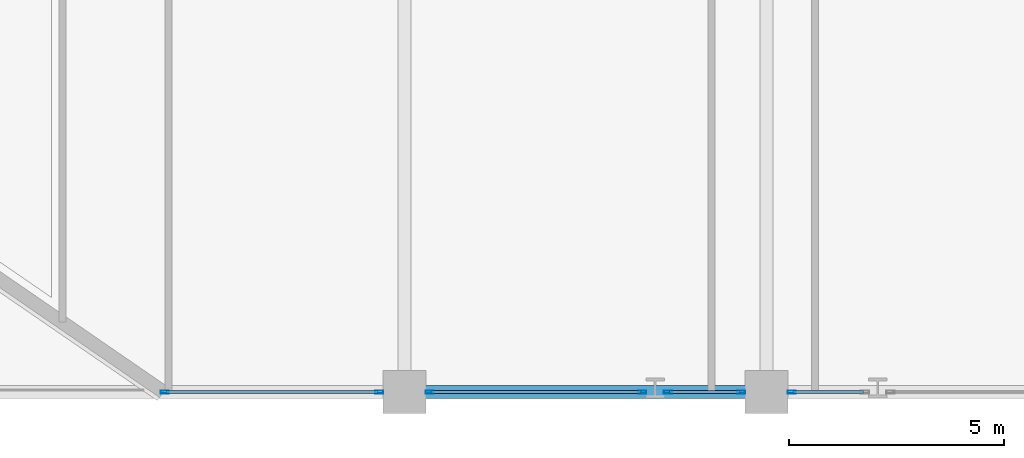
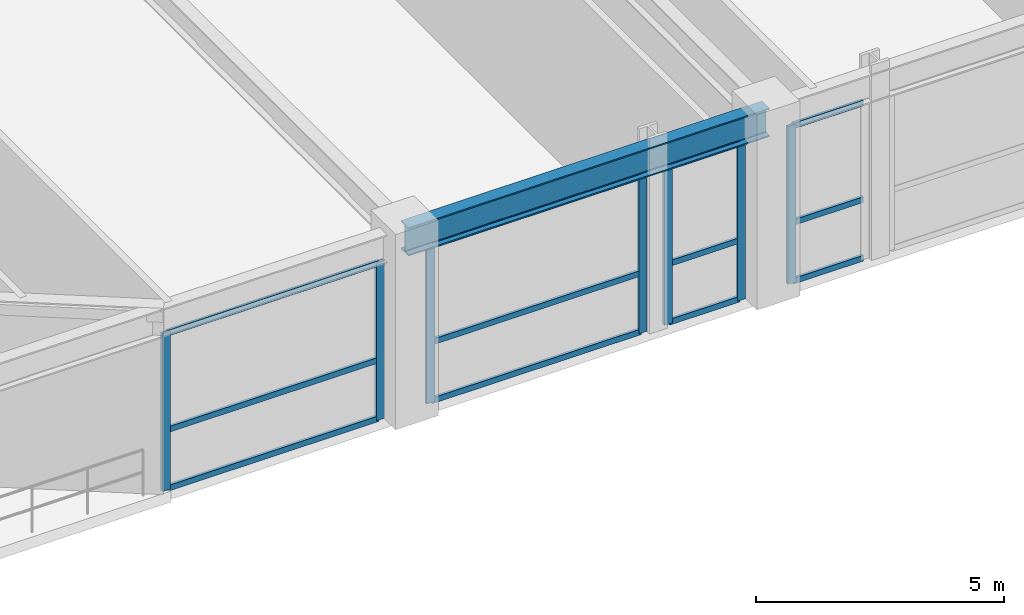
# One storey, part 3 of 26: 19 members, 1 beam, 4 elements without a shape of their own.
"""IFC4 building model written with IfcOpenShell, lengths in metres."""

import ifcopenshell
import ifcopenshell.guid

model = None  # the IFC model being written
_history = None  # IfcOwnerHistory: only IFC2X3 demands one
_inside = {}  # id of a spatial element -> (the spatial element, [elements in it])
_under = {}  # id of a project, library or spatial element -> (it, [spatial elements below it])
_declared = {}  # id of a project -> (the project, [libraries it declares])
_typed = {}  # id of a type object -> (the type object, [elements of that type])
_made_of = {}  # id of a material, layer set ... -> (it, [elements and type objects made of it])


def new_model(schema):
    """Start an empty IFC model of exactly this schema.

    Asked for "IFC4X3", IfcOpenShell would pick the latest addendum, in which some entities
    have other attributes; the version numbers below select the first issue.
    IFC2X3 requires an IfcOwnerHistory on every rooted entity: one is made here for all.
    """
    global model, _history
    if schema == "IFC4X3":
        model = ifcopenshell.file(schema_version=(4, 3, 0, 0))
    else:
        model = ifcopenshell.file(schema=schema)
    _inside.clear()
    _under.clear()
    _declared.clear()
    _typed.clear()
    _made_of.clear()
    _history = None
    if model.schema == "IFC2X3":
        org = make("IfcOrganization", Name="unknown")
        user = make(
            "IfcPersonAndOrganization",
            ThePerson=make("IfcPerson", FamilyName="unknown"),
            TheOrganization=org,
        )
        app = make(
            "IfcApplication",
            ApplicationDeveloper=org,
            Version="unknown",
            ApplicationFullName="unknown",
            ApplicationIdentifier="unknown",
        )
        _history = make(
            "IfcOwnerHistory",
            OwningUser=user,
            OwningApplication=app,
            ChangeAction="ADDED",
            CreationDate=0,
        )
    return model


def make(cls, **values):
    """One entity of the class cls with the attributes given. An attribute that is None is left unset."""
    return model.create_entity(
        cls, **{name: value for name, value in values.items() if value is not None}
    )


def rooted(cls, **values):
    """An entity with a GlobalId (a new one), such as an element, a storey or a relation."""
    return make(cls, GlobalId=ifcopenshell.guid.new(), OwnerHistory=_history, **values)


def si_unit(unit_type, name, prefix=None):
    """IfcSIUnit, for example si_unit("LENGTHUNIT", "METRE", prefix="MILLI")."""
    return make("IfcSIUnit", UnitType=unit_type, Prefix=prefix, Name=name)


def derived_unit(unit_type, elements):
    """IfcDerivedUnit: a product of units, each with its exponent."""
    return make(
        "IfcDerivedUnit",
        Elements=[
            make("IfcDerivedUnitElement", Unit=unit, Exponent=power)
            for unit, power in elements
        ],
        UnitType=unit_type,
    )


def assignment(units):
    """IfcUnitAssignment: the units of a project."""
    return None if units is None else make("IfcUnitAssignment", Units=units)


def point(xyz):
    """IfcCartesianPoint."""
    return None if xyz is None else make("IfcCartesianPoint", Coordinates=xyz)


def direction(xyz):
    """IfcDirection."""
    return None if xyz is None else make("IfcDirection", DirectionRatios=xyz)


def frame(location, z_axis=None, x_axis=None):
    """IfcAxis2Placement3D, a coordinate frame: its origin and axes. An axis left out is left unset."""
    return make(
        "IfcAxis2Placement3D",
        Location=point(location),
        Axis=direction(z_axis),
        RefDirection=direction(x_axis),
    )


def frame_2d(location, x_axis=None):
    """IfcAxis2Placement2D, a coordinate frame in the plane: its origin and x axis."""
    return make(
        "IfcAxis2Placement2D", Location=point(location), RefDirection=direction(x_axis)
    )


def origin():
    """The frame at (0, 0, 0) with its axes left unset."""
    return frame((0.0, 0.0, 0.0))


def origin_2d():
    """The frame at (0, 0) in the plane with its x axis left unset."""
    return frame_2d((0.0, 0.0))


def place(relative_to, where):
    """IfcLocalPlacement: puts the frame where relative to a parent placement (None: the world)."""
    return make(
        "IfcLocalPlacement", PlacementRelTo=relative_to, RelativePlacement=where
    )


def context(
    kind, dimensions, precision=None, world=None, true_north=None, identifier=None
):
    """IfcGeometricRepresentationContext, for example the 3D "Model" context."""
    return make(
        "IfcGeometricRepresentationContext",
        ContextIdentifier=identifier,
        ContextType=kind,
        CoordinateSpaceDimension=dimensions,
        Precision=precision,
        WorldCoordinateSystem=world,
        TrueNorth=true_north,
    )


def subcontext(parent, identifier, kind, view, scale=None):
    """IfcGeometricRepresentationSubContext, for example "Body" below "Model"."""
    return make(
        "IfcGeometricRepresentationSubContext",
        ContextIdentifier=identifier,
        ContextType=kind,
        ParentContext=parent,
        TargetScale=scale,
        TargetView=view,
    )


def project(units=None, contexts=None):
    """IfcProject with its units and contexts."""
    return rooted(
        "IfcProject",
        Name="project",
        RepresentationContexts=contexts,
        UnitsInContext=assignment(units),
    )


def spatial(cls, under=None, at=None, **own):
    """A site, building, storey or space (cls), placed at a placement, below another one or the project."""
    s = rooted(cls, ObjectPlacement=at, **own)
    if under is not None:
        _under.setdefault(under.id(), (under, []))[1].append(s)
    return s


def profile(cls, at=None, kind="AREA", **sizes):
    """A parametric profile (cls). Its sizes go by their IFC names, for example OverallWidth=200.0."""
    return make(cls, ProfileType=kind, Position=at, **sizes)


def hollow_rectangle(**sizes):
    """IfcRectangleHollowProfileDef."""
    return profile("IfcRectangleHollowProfileDef", **sizes)


def i_section(**sizes):
    """IfcIShapeProfileDef."""
    return profile("IfcIShapeProfileDef", **sizes)


def extrude(swept, where, along, depth):
    """IfcExtrudedAreaSolid: the profile swept, set in the frame where, extruded along a direction by depth."""
    return make(
        "IfcExtrudedAreaSolid",
        SweptArea=swept,
        Position=where,
        ExtrudedDirection=direction(along),
        Depth=depth,
    )


def shape(context_of_items, identifier, shape_type, items):
    """IfcShapeRepresentation: the items that make up one representation, for example the "Body"."""
    return make(
        "IfcShapeRepresentation",
        ContextOfItems=context_of_items,
        RepresentationIdentifier=identifier,
        RepresentationType=shape_type,
        Items=items,
    )


def source(mapping_origin, context_of_items, identifier, shape_type, items):
    """IfcRepresentationMap: a shape defined once, which mapped items show again and again."""
    return make(
        "IfcRepresentationMap",
        MappingOrigin=mapping_origin,
        MappedRepresentation=shape(context_of_items, identifier, shape_type, items),
    )


def transform(
    local_origin,
    x_axis=None,
    y_axis=None,
    z_axis=None,
    scale=None,
    scale2=None,
    scale3=None,
    uniform=True,
):
    """IfcCartesianTransformationOperator3D, or its non-uniform kind. x_axis, y_axis, z_axis: its Axis1, 2, 3."""
    if uniform:
        return make(
            "IfcCartesianTransformationOperator3D",
            Axis1=direction(x_axis),
            Axis2=direction(y_axis),
            LocalOrigin=point(local_origin),
            Scale=scale,
            Axis3=direction(z_axis),
        )
    return make(
        "IfcCartesianTransformationOperator3DnonUniform",
        Axis1=direction(x_axis),
        Axis2=direction(y_axis),
        LocalOrigin=point(local_origin),
        Scale=scale,
        Axis3=direction(z_axis),
        Scale2=scale2,
        Scale3=scale3,
    )


def mapped(mapping_source, mapping_target):
    """IfcMappedItem: shows the shape of a source again, moved by a transform."""
    return make(
        "IfcMappedItem", MappingSource=mapping_source, MappingTarget=mapping_target
    )


def material(Name=None, Category=None):
    """IfcMaterial."""
    return make("IfcMaterial", Name=Name, Category=Category)


def layer(
    of_material, thickness, ventilated=None, Name=None, Category=None, Priority=None
):
    """IfcMaterialLayer: one layer of a wall or slab, of a material (None: an air gap)."""
    return make(
        "IfcMaterialLayer",
        Material=of_material,
        LayerThickness=thickness,
        IsVentilated=ventilated,
        Name=Name,
        Category=Category,
        Priority=Priority,
    )


def layer_set(layers, Name=None):
    """IfcMaterialLayerSet."""
    return make("IfcMaterialLayerSet", MaterialLayers=layers, LayerSetName=Name)


def material_profile(
    of_material, cross_section, Name=None, Category=None, Priority=None
):
    """IfcMaterialProfile: a cross section and its material."""
    return make(
        "IfcMaterialProfile",
        Name=Name,
        Material=of_material,
        Profile=cross_section,
        Priority=Priority,
        Category=Category,
    )


def profile_set(profiles, Name=None, composite=None):
    """IfcMaterialProfileSet."""
    return make(
        "IfcMaterialProfileSet",
        Name=Name,
        MaterialProfiles=profiles,
        CompositeProfile=composite,
    )


def made_of(thing, what):
    """Note that an element or type object is made of a material, layer set ...; save() writes the relation."""
    if what is not None:
        _made_of.setdefault(what.id(), (what, []))[1].append(thing)
    return thing


def type_object(cls, material=None, **own):
    """A type object (cls), such as IfcWallType, which elements share."""
    return made_of(rooted(cls, **own), material)


def element(
    cls,
    number,
    at=None,
    inside=None,
    cuts=None,
    type_object=None,
    material=None,
    context=None,
    identifier="Body",
    shape_type=None,
    held_by="IfcProductDefinitionShape",
    body=None,
    shapes=None,
    **own,
):
    """One element of the class cls, such as IfcWall. Its Tag is "e" and its number.

    at: its placement. inside: the storey or other place that contains it. cuts: it is an
    opening in that element (IfcRelVoidsElement). A single representation is given by context,
    identifier, shape_type and body (its items); several are given by shapes. held_by: the class
    of the entity that holds the representations. save() writes the other relations.
    """
    e = rooted(cls, Tag="e%d" % number, ObjectPlacement=at, **own)
    if body is not None:
        shapes = [shape(context, identifier, shape_type, body)]
    if shapes is not None:
        e.Representation = make(held_by, Representations=shapes)
    if inside is not None:
        _inside.setdefault(inside.id(), (inside, []))[1].append(e)
    if cuts is not None:
        rooted(
            "IfcRelVoidsElement", RelatingBuildingElement=cuts, RelatedOpeningElement=e
        )
    if type_object is not None:
        _typed.setdefault(type_object.id(), (type_object, []))[1].append(e)
    return made_of(e, material)


def aggregate(whole, parts):
    """IfcRelAggregates: a whole, such as a stair, and the parts it consists of."""
    return rooted("IfcRelAggregates", RelatingObject=whole, RelatedObjects=parts)


def save(model, path):
    """Write the relations noted so far, then the file.

    IfcRelAggregates (storeys below a building ...), IfcRelContainedInSpatialStructure (elements
    in a storey), IfcRelDefinesByType, IfcRelAssociatesMaterial and IfcRelDeclares: one each for
    every whole, place, type object, material and project.
    """
    for whole, parts in _under.values():
        aggregate(whole, parts)
    for where, things in _inside.values():
        rooted(
            "IfcRelContainedInSpatialStructure",
            RelatedElements=things,
            RelatingStructure=where,
        )
    for kind, things in _typed.values():
        rooted("IfcRelDefinesByType", RelatedObjects=things, RelatingType=kind)
    for what, things in _made_of.values():
        rooted("IfcRelAssociatesMaterial", RelatedObjects=things, RelatingMaterial=what)
    for by, libraries in _declared.values():
        rooted("IfcRelDeclares", RelatingContext=by, RelatedDefinitions=libraries)
    model.write(path)


model = new_model("IFC4")

# Units and contexts
model_context = context("Model", 3, precision=1e-05, world=origin(), true_north=direction((0.0, 1.0)))
body_context = subcontext(model_context, "Body", "Model", "MODEL_VIEW")
ifc_project = project(units=[si_unit("LENGTHUNIT", "METRE"), si_unit("AREAUNIT", "SQUARE_METRE"), si_unit("VOLUMEUNIT", "CUBIC_METRE"), si_unit("PLANEANGLEUNIT", "RADIAN"), si_unit("MASSUNIT", "GRAM", prefix="KILO"), derived_unit("THERMALTRANSMITTANCEUNIT", [(si_unit("POWERUNIT", "WATT"), 1), (si_unit("LENGTHUNIT", "METRE"), -2), (si_unit("THERMODYNAMICTEMPERATUREUNIT", "KELVIN"), -1)])], contexts=[model_context])

# Site, building, storey
site_placement = place(None, origin())
site = spatial("IfcSite", under=ifc_project, at=site_placement, CompositionType="ELEMENT")
building_placement = place(site_placement, origin())
building = spatial("IfcBuilding", under=site, at=building_placement, Name="Korsvarv Bourse and Concert Hall", CompositionType="ELEMENT")
storey_placement = place(building_placement, frame((0.0, 0.0, 19.199951171875)))
storey = spatial("IfcBuildingStorey", under=building, at=storey_placement, Name="L04", CompositionType="ELEMENT", Elevation=19.199951171875)

# Beam
ifc_material_1 = material(Name="Steel S355", Category="steel")
ifc_material_profile_1 = material_profile(ifc_material_1, i_section(OverallWidth=0.300048828125, OverallDepth=0.699951171875, WebThickness=0.01708984375, FlangeThickness=0.031982421875, FilletRadius=0.027099609375, at=origin_2d()), Name="HEB 700")
ifc_profile_set_1 = profile_set([ifc_material_profile_1], Name="Steel S355")
beam_type = type_object("IfcBeamType", Name="BM-HEB700", PredefinedType="BEAM", material=ifc_profile_set_1)
shared_shape_1 = source(origin(), body_context, "Body", "SweptSolid", [
    extrude(i_section(OverallWidth=0.300048828125, OverallDepth=0.699951171875, WebThickness=0.01708984375, FlangeThickness=0.031982421875, FilletRadius=0.027099609375, at=origin_2d()), origin(), (0.0, 0.0, 1.0), 8.39990234375),
])
beam_placement = place(storey_placement, frame((27.60009765625, 3.0, 4.22998046875), z_axis=(1.0, 0.0, 0.0), x_axis=(0.0, 1.0, 0.0)))
element("IfcBeam", 1, at=beam_placement, inside=storey, type_object=beam_type, Name="L04 beam B-03", PredefinedType="BEAM", context=body_context, shape_type="MappedRepresentation", body=[
    mapped(shared_shape_1, transform((0.0, 0.0, 0.0), scale=1.0)),
])

# Curtain wall, members
ifc_material_2 = material(Name="Anodised aluminium and triple low-E glazing", Category="glass")
ifc_layer = layer(ifc_material_2, 0.239990234375)
ifc_layer_set = layer_set([ifc_layer], Name="Anodised aluminium and triple low-E glazing")
curtain_wall_type = type_object("IfcCurtainWallType", Name="CW-SYS-5", PredefinedType="NOTDEFINED", material=ifc_layer_set)
curtain_wall_1_placement = place(storey_placement, origin())
curtain_wall_1 = element("IfcCurtainWall", 2, at=curtain_wall_1_placement, inside=storey, type_object=curtain_wall_type, Name="L04 CW5 curtain wall CW-L04-G2-3", PredefinedType="NOTDEFINED")
ifc_material_3 = material(Name="Extruded aluminium EN AW-6063 T66", Category="aluminium")
ifc_material_profile_2 = material_profile(ifc_material_3, hollow_rectangle(XDim=0.06494140625, YDim=0.139892578125, WallThickness=0.00390625, at=origin_2d()), Name="ALU-T 65x140")
ifc_profile_set_2 = profile_set([ifc_material_profile_2], Name="Extruded aluminium EN AW-6063 T66")
member_type_1 = type_object("IfcMemberType", Name="CWT-140", PredefinedType="USERDEFINED", material=ifc_profile_set_2)
shared_shape_2 = source(origin(), body_context, "Body", "SweptSolid", [
    extrude(hollow_rectangle(XDim=0.06494140625, YDim=0.139892578125, WallThickness=0.00390625, at=origin_2d()), origin(), (0.0, 0.0, 1.0), 1.6298828125),
])
member_1_placement = place(storey_placement, frame((33.75, 3.0, 0.032470703125), z_axis=(1.0, 0.0, 0.0), x_axis=(0.0, 1.0, 0.0)))
member_1 = element("IfcMember", 3, at=member_1_placement, type_object=member_type_1, Name="CW5 transom 1.1", ObjectType="TRANSOM", PredefinedType="USERDEFINED", context=body_context, shape_type="MappedRepresentation", body=[
    mapped(shared_shape_2, transform((0.0, 0.0, 0.0), scale=1.0)),
])
member_2_placement = place(storey_placement, frame((33.75, 3.0, 1.474365234375), z_axis=(1.0, 0.0, 0.0), x_axis=(0.0, 1.0, 0.0)))
member_2 = element("IfcMember", 4, at=member_2_placement, type_object=member_type_1, Name="CW5 transom 1.2", ObjectType="TRANSOM", PredefinedType="USERDEFINED", context=body_context, shape_type="MappedRepresentation", body=[
    mapped(shared_shape_2, transform((0.0, 0.0, 0.0), scale=1.0)),
])
member_3_placement = place(storey_placement, frame((33.75, 3.0, 3.84765625), z_axis=(1.0, 0.0, 0.0), x_axis=(0.0, 1.0, 0.0)))
member_3 = element("IfcMember", 5, at=member_3_placement, type_object=member_type_1, Name="CW5 transom 1.3", ObjectType="TRANSOM", PredefinedType="USERDEFINED", context=body_context, shape_type="MappedRepresentation", body=[
    mapped(shared_shape_2, transform((0.0, 0.0, 0.0), scale=1.0)),
])

curtain_wall_2_placement = place(storey_placement, origin())
curtain_wall_2 = element("IfcCurtainWall", 6, at=curtain_wall_2_placement, inside=storey, type_object=curtain_wall_type, Name="L04 CW5 curtain wall CW-L04-G2-4", PredefinedType="NOTDEFINED")
member_4_placement = place(storey_placement, frame((36.6201171875, 3.0, 0.032470703125), z_axis=(1.0, 0.0, 0.0), x_axis=(0.0, 1.0, 0.0)))
member_4 = element("IfcMember", 7, at=member_4_placement, type_object=member_type_1, Name="CW5 transom 1.1", ObjectType="TRANSOM", PredefinedType="USERDEFINED", context=body_context, shape_type="MappedRepresentation", body=[
    mapped(shared_shape_2, transform((0.0, 0.0, 0.0), scale=1.0)),
])
member_5_placement = place(storey_placement, frame((36.6201171875, 3.0, 1.474365234375), z_axis=(1.0, 0.0, 0.0), x_axis=(0.0, 1.0, 0.0)))
member_5 = element("IfcMember", 8, at=member_5_placement, type_object=member_type_1, Name="CW5 transom 1.2", ObjectType="TRANSOM", PredefinedType="USERDEFINED", context=body_context, shape_type="MappedRepresentation", body=[
    mapped(shared_shape_2, transform((0.0, 0.0, 0.0), scale=1.0)),
])
member_6_placement = place(storey_placement, frame((36.6201171875, 3.0, 3.84765625), z_axis=(1.0, 0.0, 0.0), x_axis=(0.0, 1.0, 0.0)))
member_6 = element("IfcMember", 9, at=member_6_placement, type_object=member_type_1, Name="CW5 transom 1.3", ObjectType="TRANSOM", PredefinedType="USERDEFINED", context=body_context, shape_type="MappedRepresentation", body=[
    mapped(shared_shape_2, transform((0.0, 0.0, 0.0), scale=1.0)),
])

curtain_wall_3_placement = place(storey_placement, origin())
curtain_wall_3 = element("IfcCurtainWall", 10, at=curtain_wall_3_placement, inside=storey, type_object=curtain_wall_type, Name="L04 CW5 curtain wall CW-L04-G2-1", PredefinedType="NOTDEFINED")
ifc_material_profile_3 = material_profile(ifc_material_3, hollow_rectangle(XDim=0.070068359375, YDim=0.18994140625, WallThickness=0.0048828125, at=origin_2d()), Name="ALU-M 70x190")
ifc_profile_set_3 = profile_set([ifc_material_profile_3], Name="Extruded aluminium EN AW-6063 T66")
member_type_2 = type_object("IfcMemberType", Name="CWM-190", PredefinedType="MULLION", material=ifc_profile_set_3)
shared_shape_3 = source(origin(), body_context, "Body", "SweptSolid", [
    extrude(hollow_rectangle(XDim=0.070068359375, YDim=0.18994140625, WallThickness=0.0048828125, at=origin_2d()), origin(), (0.0, 0.0, 1.0), 3.880126953125),
])
member_7_placement = place(storey_placement, frame((22.034912109375, 3.0, 0.0), z_axis=(0.0, 0.0, 1.0), x_axis=(0.0, 1.0, 0.0)))
member_7 = element("IfcMember", 11, at=member_7_placement, type_object=member_type_2, Name="CW5 mullion 1", PredefinedType="MULLION", context=body_context, shape_type="MappedRepresentation", body=[
    mapped(shared_shape_3, transform((0.0, 0.0, 0.0), scale=1.0)),
])
member_8_placement = place(storey_placement, frame((27.014892578125, 3.0, 0.0), z_axis=(0.0, 0.0, 1.0), x_axis=(0.0, 1.0, 0.0)))
member_8 = element("IfcMember", 12, at=member_8_placement, type_object=member_type_2, Name="CW5 mullion 2", PredefinedType="MULLION", context=body_context, shape_type="MappedRepresentation", body=[
    mapped(shared_shape_3, transform((0.0, 0.0, 0.0), scale=1.0)),
])

curtain_wall_4_placement = place(storey_placement, origin())
curtain_wall_4 = element("IfcCurtainWall", 13, at=curtain_wall_4_placement, inside=storey, type_object=curtain_wall_type, Name="L04 CW5 curtain wall CW-L04-G2-2", PredefinedType="NOTDEFINED")
member_9_placement = place(storey_placement, frame((28.18505859375, 3.0, 0.0), z_axis=(0.0, 0.0, 1.0), x_axis=(0.0, 1.0, 0.0)))
member_9 = element("IfcMember", 14, at=member_9_placement, type_object=member_type_2, Name="CW5 mullion 1", PredefinedType="MULLION", context=body_context, shape_type="MappedRepresentation", body=[
    mapped(shared_shape_3, transform((0.0, 0.0, 0.0), scale=1.0)),
])
member_10_placement = place(storey_placement, frame((33.12109375, 3.0, 0.0), z_axis=(0.0, 0.0, 1.0), x_axis=(0.0, 1.0, 0.0)))
member_10 = element("IfcMember", 15, at=member_10_placement, type_object=member_type_2, Name="CW5 mullion 2", PredefinedType="MULLION", context=body_context, shape_type="MappedRepresentation", body=[
    mapped(shared_shape_3, transform((0.0, 0.0, 0.0), scale=1.0)),
])

# Member
member_11_placement = place(storey_placement, frame((33.715087890625, 3.0, 0.0), z_axis=(0.0, 0.0, 1.0), x_axis=(0.0, 1.0, 0.0)))
member_11 = element("IfcMember", 16, at=member_11_placement, type_object=member_type_2, Name="CW5 mullion 1", PredefinedType="MULLION", context=body_context, shape_type="MappedRepresentation", body=[
    mapped(shared_shape_3, transform((0.0, 0.0, 0.0), scale=1.0)),
])

member_12_placement = place(storey_placement, frame((35.4150390625, 3.0, 0.0), z_axis=(0.0, 0.0, 1.0), x_axis=(0.0, 1.0, 0.0)))
member_12 = element("IfcMember", 17, at=member_12_placement, type_object=member_type_2, Name="CW5 mullion 2", PredefinedType="MULLION", context=body_context, shape_type="MappedRepresentation", body=[
    mapped(shared_shape_3, transform((0.0, 0.0, 0.0), scale=1.0)),
])

aggregate(curtain_wall_1, [member_11, member_12, member_1, member_2, member_3])

member_13_placement = place(storey_placement, frame((36.5849609375, 3.0, 0.0), z_axis=(0.0, 0.0, 1.0), x_axis=(0.0, 1.0, 0.0)))
member_13 = element("IfcMember", 18, at=member_13_placement, type_object=member_type_2, Name="CW5 mullion 1", PredefinedType="MULLION", context=body_context, shape_type="MappedRepresentation", body=[
    mapped(shared_shape_3, transform((0.0, 0.0, 0.0), scale=1.0)),
])

aggregate(curtain_wall_2, [member_13, member_4, member_5, member_6])

shared_shape_4 = source(origin(), body_context, "Body", "SweptSolid", [
    extrude(hollow_rectangle(XDim=0.06494140625, YDim=0.139892578125, WallThickness=0.00390625, at=origin_2d()), origin(), (0.0, 0.0, 1.0), 4.909912109375),
])
member_14_placement = place(storey_placement, frame((22.070068359375, 3.0, 0.032470703125), z_axis=(1.0, 0.0, 0.0), x_axis=(0.0, 1.0, 0.0)))
member_14 = element("IfcMember", 19, at=member_14_placement, type_object=member_type_1, Name="CW5 transom 1.1", ObjectType="TRANSOM", PredefinedType="USERDEFINED", context=body_context, shape_type="MappedRepresentation", body=[
    mapped(shared_shape_4, transform((0.0, 0.0, 0.0), scale=1.0)),
])

member_15_placement = place(storey_placement, frame((22.070068359375, 3.0, 1.474365234375), z_axis=(1.0, 0.0, 0.0), x_axis=(0.0, 1.0, 0.0)))
member_15 = element("IfcMember", 20, at=member_15_placement, type_object=member_type_1, Name="CW5 transom 1.2", ObjectType="TRANSOM", PredefinedType="USERDEFINED", context=body_context, shape_type="MappedRepresentation", body=[
    mapped(shared_shape_4, transform((0.0, 0.0, 0.0), scale=1.0)),
])

member_16_placement = place(storey_placement, frame((22.070068359375, 3.0, 3.84765625), z_axis=(1.0, 0.0, 0.0), x_axis=(0.0, 1.0, 0.0)))
member_16 = element("IfcMember", 21, at=member_16_placement, type_object=member_type_1, Name="CW5 transom 1.3", ObjectType="TRANSOM", PredefinedType="USERDEFINED", context=body_context, shape_type="MappedRepresentation", body=[
    mapped(shared_shape_4, transform((0.0, 0.0, 0.0), scale=1.0)),
])

aggregate(curtain_wall_3, [member_7, member_8, member_14, member_15, member_16])

shared_shape_5 = source(origin(), body_context, "Body", "SweptSolid", [
    extrude(hollow_rectangle(XDim=0.06494140625, YDim=0.139892578125, WallThickness=0.00390625, at=origin_2d()), origin(), (0.0, 0.0, 1.0), 4.8662109375),
])
member_17_placement = place(storey_placement, frame((28.219970703125, 3.0, 0.032470703125), z_axis=(1.0, 0.0, 0.0), x_axis=(0.0, 1.0, 0.0)))
member_17 = element("IfcMember", 22, at=member_17_placement, type_object=member_type_1, Name="CW5 transom 1.1", ObjectType="TRANSOM", PredefinedType="USERDEFINED", context=body_context, shape_type="MappedRepresentation", body=[
    mapped(shared_shape_5, transform((0.0, 0.0, 0.0), scale=1.0)),
])

member_18_placement = place(storey_placement, frame((28.219970703125, 3.0, 1.474365234375), z_axis=(1.0, 0.0, 0.0), x_axis=(0.0, 1.0, 0.0)))
member_18 = element("IfcMember", 23, at=member_18_placement, type_object=member_type_1, Name="CW5 transom 1.2", ObjectType="TRANSOM", PredefinedType="USERDEFINED", context=body_context, shape_type="MappedRepresentation", body=[
    mapped(shared_shape_5, transform((0.0, 0.0, 0.0), scale=1.0)),
])

member_19_placement = place(storey_placement, frame((28.219970703125, 3.0, 3.84765625), z_axis=(1.0, 0.0, 0.0), x_axis=(0.0, 1.0, 0.0)))
member_19 = element("IfcMember", 24, at=member_19_placement, type_object=member_type_1, Name="CW5 transom 1.3", ObjectType="TRANSOM", PredefinedType="USERDEFINED", context=body_context, shape_type="MappedRepresentation", body=[
    mapped(shared_shape_5, transform((0.0, 0.0, 0.0), scale=1.0)),
])

aggregate(curtain_wall_4, [member_9, member_10, member_17, member_18, member_19])

save(model, "model.ifc")
